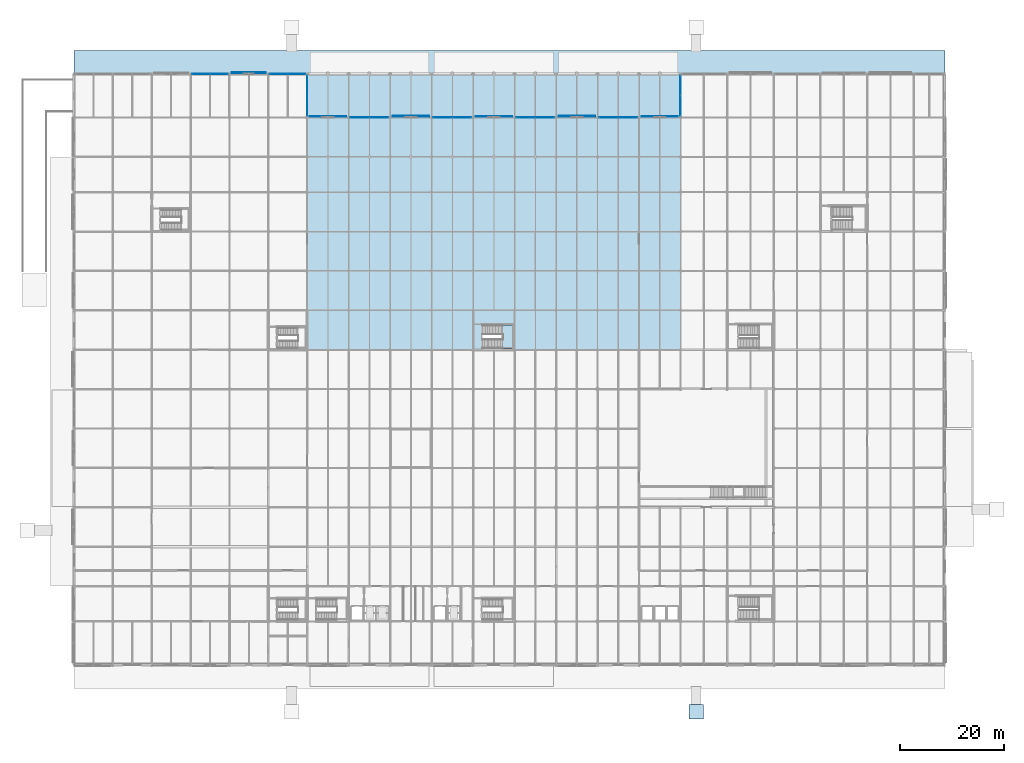
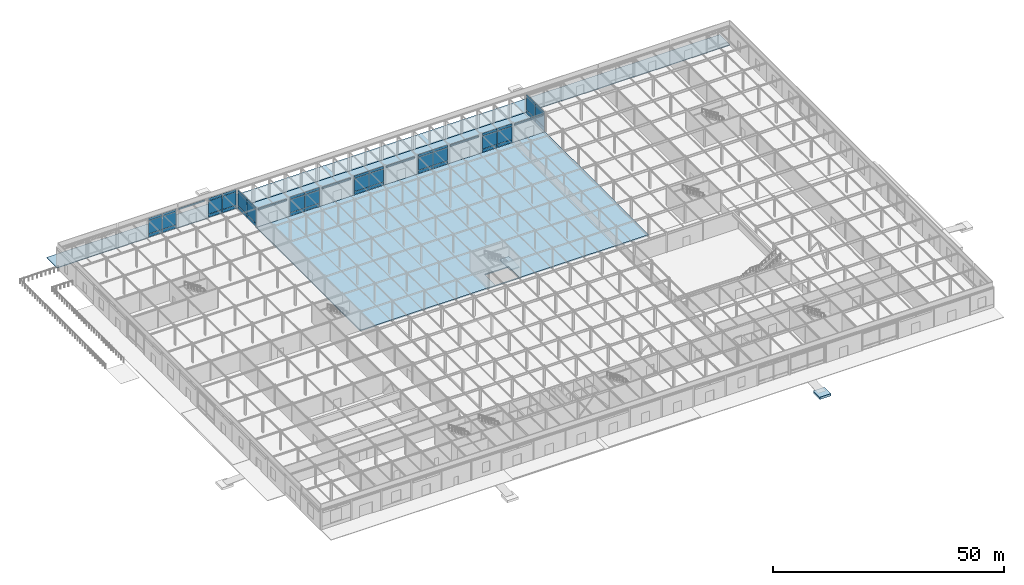
# One storey, part 57 of 89: 54 plates, 5 slabs, 9 elements without a shape of their own.
"""IFC4 building model written with IfcOpenShell, lengths in metres."""

from ifc_helpers import new_model, si_unit, direction, frame, origin, origin_2d, place, context, subcontext, project, spatial, polyline, rectangle, outline, extrude, material, layer, layer_set, type_object, element, aggregate, save


model = new_model("IFC4")

# Units and contexts
model_context = context("Model", 3, precision=1e-05, world=origin(), true_north=direction((0.0, 1.0)))
body_context = subcontext(model_context, "Body", "Model", "MODEL_VIEW")
ifc_project = project(units=[si_unit("LENGTHUNIT", "METRE"), si_unit("AREAUNIT", "SQUARE_METRE"), si_unit("VOLUMEUNIT", "CUBIC_METRE"), si_unit("PLANEANGLEUNIT", "RADIAN"), si_unit("MASSUNIT", "GRAM", prefix="KILO")], contexts=[model_context])

# Site, building, storey
site_placement = place(None, origin())
site = spatial("IfcSite", under=ifc_project, at=site_placement, CompositionType="ELEMENT")
building_placement = place(site_placement, origin())
building = spatial("IfcBuilding", under=site, at=building_placement, Name="Shalkamar Park Central Library", CompositionType="ELEMENT")
storey_placement = place(building_placement, origin())
storey = spatial("IfcBuildingStorey", under=building, at=storey_placement, Name="L01", CompositionType="ELEMENT", Elevation=0.0)

# Slab
ifc_material_1 = material(Name="Concrete C35/45", Category="concrete")
ifc_layer_1 = layer(ifc_material_1, 0.60009765625)
ifc_layer_set_1 = layer_set([ifc_layer_1], Name="Concrete C35/45")
slab_type_1 = type_object("IfcSlabType", Name="Basement Base Slab 600", PredefinedType="BASESLAB", material=ifc_layer_set_1)
slab_1_placement = place(storey_placement, frame((0.0, 0.0, -0.89990234375)))
element("IfcSlab", 1, at=slab_1_placement, inside=storey, type_object=slab_type_1, Name="Approach Grade Pad RMP-S-E", PredefinedType="BASESLAB", context=body_context, shape_type="SweptSolid", body=[
    extrude(outline(polyline([(238.60009765625, 229.60009765625), (241.39990234375, 229.60009765625), (241.39990234375, 232.39990234375), (238.60009765625, 232.39990234375), (238.60009765625, 229.60009765625)])), origin(), (0.0, 0.0, 1.0), 0.599853515625),
])

# Plates
ifc_material_2 = material(Name="Anodized bronze architectural frieze plate", Category="aluminium")
ifc_layer_2 = layer(ifc_material_2, 0.110107421875)
ifc_layer_set_2 = layer_set([ifc_layer_2], Name="BronzeSpandrelFriezePlate_110")
plate_type_1 = type_object("IfcPlateType", Name="Bronze Spandrel Frieze Plate 110", PredefinedType="USERDEFINED", material=ifc_layer_set_2)
for number, where, z_axis, x_axis, name in (
    (2, (169.0, 345.81005859375, 4.23779296875), (0.0, 0.0, 1.0), (1.0, 0.0, 0.0), "Bronze Spandrel Frieze Plate L01-009"),
    (3, (201.0, 345.81005859375, 4.23779296875), (0.0, 0.0, 1.0), (1.0, 0.0, 0.0), "Bronze Spandrel Frieze Plate L01-011"),
    (4, (233.0, 345.81005859375, 4.23779296875), (0.0, 0.0, 1.0), (1.0, 0.0, 0.0), "Bronze Spandrel Frieze Plate L01-013"),
):
    element("IfcPlate", number, at=place(storey_placement, frame(where, z_axis=z_axis, x_axis=x_axis)), inside=storey, type_object=plate_type_1, Name=name, ObjectType="CLADDING", PredefinedType="USERDEFINED", context=body_context, shape_type="SweptSolid", body=[
        extrude(rectangle(XDim=7.028076171875, YDim=0.110107421875, at=origin_2d()), origin(), (0.0, 0.0, 1.0), 0.449951171875),
    ])
ifc_material_3 = material(Name="Anodized bronze stepped frieze plate", Category="aluminium")
ifc_layer_3 = layer(ifc_material_3, 0.139892578125)
ifc_layer_set_3 = layer_set([ifc_layer_3], Name="PostmodernKeystoneFriezePlate_140")
plate_type_2 = type_object("IfcPlateType", Name="Postmodern Keystone Frieze Plate 140", PredefinedType="USERDEFINED", material=ifc_layer_set_3)
plate_1_placement = place(storey_placement, frame((153.75, 354.22509765625, 4.42822265625), z_axis=(0.0, 0.0, 1.0), x_axis=(1.0, 0.0, 0.0)))
element("IfcPlate", 5, at=plate_1_placement, inside=storey, type_object=plate_type_2, Name="Bronze Spandrel Frieze Plate L01-008", ObjectType="CLADDING", PredefinedType="USERDEFINED", context=body_context, shape_type="SweptSolid", body=[
    extrude(rectangle(XDim=6.528076171875, YDim=0.139892578125, at=origin_2d()), origin(), (0.0, 0.0, 1.0), 0.449951171875),
])
for number, where, z_axis, x_axis, name in (
    (6, (185.0, 345.824951171875, 4.23779296875), (0.0, 0.0, 1.0), (1.0, 0.0, 0.0), "Bronze Spandrel Frieze Plate L01-010"),
    (7, (217.0, 345.824951171875, 4.23779296875), (0.0, 0.0, 1.0), (1.0, 0.0, 0.0), "Bronze Spandrel Frieze Plate L01-012"),
):
    element("IfcPlate", number, at=place(storey_placement, frame(where, z_axis=z_axis, x_axis=x_axis)), inside=storey, type_object=plate_type_2, Name=name, ObjectType="CLADDING", PredefinedType="USERDEFINED", context=body_context, shape_type="SweptSolid", body=[
        extrude(rectangle(XDim=7.028076171875, YDim=0.139892578125, at=origin_2d()), origin(), (0.0, 0.0, 1.0), 0.449951171875),
    ])

# Curtain wall, plates
ifc_material_4 = material(Name="Thermally broken aluminium and triple low-e curtain wall", Category="aluminium")
ifc_layer_4 = layer(ifc_material_4, 0.27001953125)
ifc_layer_set_4 = layer_set([ifc_layer_4], Name="UnitisedCurtainWall_15")
curtain_wall_type_1 = type_object("IfcCurtainWallType", Name="Unitised Curtain Wall 15", PredefinedType="USERDEFINED", material=ifc_layer_set_4)
curtain_wall_1_placement = place(storey_placement, origin())
curtain_wall_1 = element("IfcCurtainWall", 8, at=curtain_wall_1_placement, inside=storey, type_object=curtain_wall_type_1, Name="Unitised Curtain Wall CW-L01-016", ObjectType="UNITISED CURTAIN WALL", PredefinedType="USERDEFINED")
ifc_material_5 = material(Name="Triple-glazed solar-control glass", Category="glass")
ifc_layer_5 = layer(ifc_material_5, 0.031982421875)
ifc_layer_set_5 = layer_set([ifc_layer_5], Name="SolarControlVisionPanel_32")
plate_type_3 = type_object("IfcPlateType", Name="Solar Control Vision Panel 32", PredefinedType="CURTAIN_PANEL", material=ifc_layer_set_5)
plate_2_placement = place(storey_placement, frame((237.0, 347.84912109375, 0.06494140625), z_axis=(0.0, 0.0, 1.0), x_axis=(0.0, 1.0, 0.0)))
plate_2 = element("IfcPlate", 9, at=plate_2_placement, type_object=plate_type_3, Name="CW-15 panel 1.1", PredefinedType="CURTAIN_PANEL", context=body_context, shape_type="SweptSolid", body=[
    extrude(rectangle(XDim=3.822021484375, YDim=0.031982421875, at=origin_2d()), origin(), (0.0, 0.0, 1.0), 0.802490234375),
])
plate_3_placement = place(storey_placement, frame((237.0, 347.84912109375, 0.9326171875), z_axis=(0.0, 0.0, 1.0), x_axis=(0.0, 1.0, 0.0)))
plate_3 = element("IfcPlate", 10, at=plate_3_placement, type_object=plate_type_3, Name="CW-15 panel 1.2", PredefinedType="CURTAIN_PANEL", context=body_context, shape_type="SweptSolid", body=[
    extrude(rectangle(XDim=3.822021484375, YDim=0.031982421875, at=origin_2d()), origin(), (0.0, 0.0, 1.0), 3.425048828125),
])
plate_4_placement = place(storey_placement, frame((237.0, 347.84912109375, 4.42236328125), z_axis=(0.0, 0.0, 1.0), x_axis=(0.0, 1.0, 0.0)))
plate_4 = element("IfcPlate", 11, at=plate_4_placement, type_object=plate_type_3, Name="CW-15 panel 1.3", PredefinedType="CURTAIN_PANEL", context=body_context, shape_type="SweptSolid", body=[
    extrude(rectangle(XDim=3.822021484375, YDim=0.031982421875, at=origin_2d()), origin(), (0.0, 0.0, 1.0), 0.652587890625),
])
plate_5_placement = place(storey_placement, frame((237.0, 351.7509765625, 0.06494140625), z_axis=(0.0, 0.0, 1.0), x_axis=(0.0, 1.0, 0.0)))
plate_5 = element("IfcPlate", 12, at=plate_5_placement, type_object=plate_type_3, Name="CW-15 panel 2.1", PredefinedType="CURTAIN_PANEL", context=body_context, shape_type="SweptSolid", body=[
    extrude(rectangle(XDim=3.822021484375, YDim=0.031982421875, at=origin_2d()), origin(), (0.0, 0.0, 1.0), 0.802490234375),
])
plate_6_placement = place(storey_placement, frame((237.0, 351.7509765625, 0.9326171875), z_axis=(0.0, 0.0, 1.0), x_axis=(0.0, 1.0, 0.0)))
plate_6 = element("IfcPlate", 13, at=plate_6_placement, type_object=plate_type_3, Name="CW-15 panel 2.2", PredefinedType="CURTAIN_PANEL", context=body_context, shape_type="SweptSolid", body=[
    extrude(rectangle(XDim=3.822021484375, YDim=0.031982421875, at=origin_2d()), origin(), (0.0, 0.0, 1.0), 3.425048828125),
])
plate_7_placement = place(storey_placement, frame((237.0, 351.7509765625, 4.42236328125), z_axis=(0.0, 0.0, 1.0), x_axis=(0.0, 1.0, 0.0)))
plate_7 = element("IfcPlate", 14, at=plate_7_placement, type_object=plate_type_3, Name="CW-15 panel 2.3", PredefinedType="CURTAIN_PANEL", context=body_context, shape_type="SweptSolid", body=[
    extrude(rectangle(XDim=3.822021484375, YDim=0.031982421875, at=origin_2d()), origin(), (0.0, 0.0, 1.0), 0.652587890625),
])
aggregate(curtain_wall_1, [plate_2, plate_3, plate_4, plate_5, plate_6, plate_7])

ifc_layer_6 = layer(ifc_material_4, 0.25)
ifc_layer_set_6 = layer_set([ifc_layer_6], Name="UnitisedCurtainWall_07")
curtain_wall_type_2 = type_object("IfcCurtainWallType", Name="Unitised Curtain Wall 07", PredefinedType="USERDEFINED", material=ifc_layer_set_6)
curtain_wall_2_placement = place(storey_placement, origin())
curtain_wall_2 = element("IfcCurtainWall", 15, at=curtain_wall_2_placement, inside=storey, type_object=curtain_wall_type_2, Name="Unitised Curtain Wall CW-L01-007", ObjectType="UNITISED CURTAIN WALL", PredefinedType="USERDEFINED")
ifc_material_6 = material(Name="Insulated aluminium spandrel panel", Category="aluminium")
ifc_layer_7 = layer(ifc_material_6, 0.080078125)
ifc_layer_set_7 = layer_set([ifc_layer_7], Name="SpandrelShadowboxPanel_80")
plate_type_4 = type_object("IfcPlateType", Name="Spandrel Shadowbox Panel 80", PredefinedType="CURTAIN_PANEL", material=ifc_layer_set_7)
plate_8_placement = place(storey_placement, frame((159.5009765625, 354.0, 0.06005859375), z_axis=(0.0, 0.0, 1.0), x_axis=(1.0, 0.0, 0.0)))
plate_8 = element("IfcPlate", 16, at=plate_8_placement, type_object=plate_type_4, Name="CW-07 panel 1.1", PredefinedType="CURTAIN_PANEL", context=body_context, shape_type="SweptSolid", body=[
    extrude(rectangle(XDim=3.39404296875, YDim=0.080078125, at=origin_2d()), origin(), (0.0, 0.0, 1.0), 0.81005859375),
])
plate_9_placement = place(storey_placement, frame((159.5009765625, 354.0, 0.929931640625), z_axis=(0.0, 0.0, 1.0), x_axis=(1.0, 0.0, 0.0)))
plate_9 = element("IfcPlate", 17, at=plate_9_placement, type_object=plate_type_4, Name="CW-07 panel 1.2", PredefinedType="CURTAIN_PANEL", context=body_context, shape_type="SweptSolid", body=[
    extrude(rectangle(XDim=3.39404296875, YDim=0.080078125, at=origin_2d()), origin(), (0.0, 0.0, 1.0), 3.43994140625),
])
plate_10_placement = place(storey_placement, frame((159.5009765625, 354.0, 4.43017578125), z_axis=(0.0, 0.0, 1.0), x_axis=(1.0, 0.0, 0.0)))
plate_10 = element("IfcPlate", 18, at=plate_10_placement, type_object=plate_type_4, Name="CW-07 panel 1.3", PredefinedType="CURTAIN_PANEL", context=body_context, shape_type="SweptSolid", body=[
    extrude(rectangle(XDim=3.39404296875, YDim=0.080078125, at=origin_2d()), origin(), (0.0, 0.0, 1.0), 0.659912109375),
])
plate_11_placement = place(storey_placement, frame((162.969970703125, 354.0, 0.06005859375), z_axis=(0.0, 0.0, 1.0), x_axis=(1.0, 0.0, 0.0)))
plate_11 = element("IfcPlate", 19, at=plate_11_placement, type_object=plate_type_4, Name="CW-07 panel 2.1", PredefinedType="CURTAIN_PANEL", context=body_context, shape_type="SweptSolid", body=[
    extrude(rectangle(XDim=3.39404296875, YDim=0.080078125, at=origin_2d()), origin(), (0.0, 0.0, 1.0), 0.81005859375),
])
plate_12_placement = place(storey_placement, frame((162.969970703125, 354.0, 0.929931640625), z_axis=(0.0, 0.0, 1.0), x_axis=(1.0, 0.0, 0.0)))
plate_12 = element("IfcPlate", 20, at=plate_12_placement, type_object=plate_type_4, Name="CW-07 panel 2.2", PredefinedType="CURTAIN_PANEL", context=body_context, shape_type="SweptSolid", body=[
    extrude(rectangle(XDim=3.39404296875, YDim=0.080078125, at=origin_2d()), origin(), (0.0, 0.0, 1.0), 3.43994140625),
])
plate_13_placement = place(storey_placement, frame((162.969970703125, 354.0, 4.43017578125), z_axis=(0.0, 0.0, 1.0), x_axis=(1.0, 0.0, 0.0)))
plate_13 = element("IfcPlate", 21, at=plate_13_placement, type_object=plate_type_4, Name="CW-07 panel 2.3", PredefinedType="CURTAIN_PANEL", context=body_context, shape_type="SweptSolid", body=[
    extrude(rectangle(XDim=3.39404296875, YDim=0.080078125, at=origin_2d()), origin(), (0.0, 0.0, 1.0), 0.659912109375),
])
aggregate(curtain_wall_2, [plate_8, plate_9, plate_10, plate_11, plate_12, plate_13])

ifc_layer_8 = layer(ifc_material_4, 0.264892578125)
ifc_layer_set_8 = layer_set([ifc_layer_8], Name="UnitisedCurtainWall_09")
curtain_wall_type_3 = type_object("IfcCurtainWallType", Name="Unitised Curtain Wall 09", PredefinedType="USERDEFINED", material=ifc_layer_set_8)
curtain_wall_3_placement = place(storey_placement, origin())
curtain_wall_3 = element("IfcCurtainWall", 22, at=curtain_wall_3_placement, inside=storey, type_object=curtain_wall_type_3, Name="Unitised Curtain Wall CW-L01-009", ObjectType="UNITISED CURTAIN WALL", PredefinedType="USERDEFINED")
plate_14_placement = place(storey_placement, frame((191.150146484375, 345.60009765625, 0.070068359375), z_axis=(0.0, 0.0, 1.0), x_axis=(1.0, 0.0, 0.0)))
plate_14 = element("IfcPlate", 23, at=plate_14_placement, type_object=plate_type_4, Name="CW-09 panel 1.1", PredefinedType="CURTAIN_PANEL", context=body_context, shape_type="SweptSolid", body=[
    extrude(rectangle(XDim=3.614501953125, YDim=0.080078125, at=origin_2d()), origin(), (0.0, 0.0, 1.0), 0.794921875),
])
plate_15_placement = place(storey_placement, frame((191.150146484375, 345.60009765625, 0.93505859375), z_axis=(0.0, 0.0, 1.0), x_axis=(1.0, 0.0, 0.0)))
plate_15 = element("IfcPlate", 24, at=plate_15_placement, type_object=plate_type_4, Name="CW-09 panel 1.2", PredefinedType="CURTAIN_PANEL", context=body_context, shape_type="SweptSolid", body=[
    extrude(rectangle(XDim=3.614501953125, YDim=0.080078125, at=origin_2d()), origin(), (0.0, 0.0, 1.0), 3.419921875),
])
plate_16_placement = place(storey_placement, frame((191.150146484375, 345.60009765625, 4.425048828125), z_axis=(0.0, 0.0, 1.0), x_axis=(1.0, 0.0, 0.0)))
plate_16 = element("IfcPlate", 25, at=plate_16_placement, type_object=plate_type_4, Name="CW-09 panel 1.3", PredefinedType="CURTAIN_PANEL", context=body_context, shape_type="SweptSolid", body=[
    extrude(rectangle(XDim=3.614501953125, YDim=0.080078125, at=origin_2d()), origin(), (0.0, 0.0, 1.0), 0.64501953125),
])
plate_17_placement = place(storey_placement, frame((194.849853515625, 345.60009765625, 0.070068359375), z_axis=(0.0, 0.0, 1.0), x_axis=(1.0, 0.0, 0.0)))
plate_17 = element("IfcPlate", 26, at=plate_17_placement, type_object=plate_type_4, Name="CW-09 panel 2.1", PredefinedType="CURTAIN_PANEL", context=body_context, shape_type="SweptSolid", body=[
    extrude(rectangle(XDim=3.614501953125, YDim=0.080078125, at=origin_2d()), origin(), (0.0, 0.0, 1.0), 0.794921875),
])
plate_18_placement = place(storey_placement, frame((194.849853515625, 345.60009765625, 0.93505859375), z_axis=(0.0, 0.0, 1.0), x_axis=(1.0, 0.0, 0.0)))
plate_18 = element("IfcPlate", 27, at=plate_18_placement, type_object=plate_type_4, Name="CW-09 panel 2.2", PredefinedType="CURTAIN_PANEL", context=body_context, shape_type="SweptSolid", body=[
    extrude(rectangle(XDim=3.614501953125, YDim=0.080078125, at=origin_2d()), origin(), (0.0, 0.0, 1.0), 3.419921875),
])
plate_19_placement = place(storey_placement, frame((194.849853515625, 345.60009765625, 4.425048828125), z_axis=(0.0, 0.0, 1.0), x_axis=(1.0, 0.0, 0.0)))
plate_19 = element("IfcPlate", 28, at=plate_19_placement, type_object=plate_type_4, Name="CW-09 panel 2.3", PredefinedType="CURTAIN_PANEL", context=body_context, shape_type="SweptSolid", body=[
    extrude(rectangle(XDim=3.614501953125, YDim=0.080078125, at=origin_2d()), origin(), (0.0, 0.0, 1.0), 0.64501953125),
])
aggregate(curtain_wall_3, [plate_14, plate_15, plate_16, plate_17, plate_18, plate_19])

ifc_layer_9 = layer(ifc_material_4, 0.2548828125)
ifc_layer_set_9 = layer_set([ifc_layer_9], Name="UnitisedCurtainWall_08")
curtain_wall_type_4 = type_object("IfcCurtainWallType", Name="Unitised Curtain Wall 08", PredefinedType="USERDEFINED", material=ifc_layer_set_9)
curtain_wall_4_placement = place(storey_placement, origin())
curtain_wall_4 = element("IfcCurtainWall", 29, at=curtain_wall_4_placement, inside=storey, type_object=curtain_wall_type_4, Name="Unitised Curtain Wall CW-L01-011", ObjectType="UNITISED CURTAIN WALL", PredefinedType="USERDEFINED")
plate_20_placement = place(storey_placement, frame((223.14892578125, 345.60009765625, 0.06494140625), z_axis=(0.0, 0.0, 1.0), x_axis=(1.0, 0.0, 0.0)))
plate_20 = element("IfcPlate", 30, at=plate_20_placement, type_object=plate_type_4, Name="CW-08 panel 1.1", PredefinedType="CURTAIN_PANEL", context=body_context, shape_type="SweptSolid", body=[
    extrude(rectangle(XDim=3.6220703125, YDim=0.080078125, at=origin_2d()), origin(), (0.0, 0.0, 1.0), 0.802490234375),
])
plate_21_placement = place(storey_placement, frame((223.14892578125, 345.60009765625, 0.9326171875), z_axis=(0.0, 0.0, 1.0), x_axis=(1.0, 0.0, 0.0)))
plate_21 = element("IfcPlate", 31, at=plate_21_placement, type_object=plate_type_4, Name="CW-08 panel 1.2", PredefinedType="CURTAIN_PANEL", context=body_context, shape_type="SweptSolid", body=[
    extrude(rectangle(XDim=3.6220703125, YDim=0.080078125, at=origin_2d()), origin(), (0.0, 0.0, 1.0), 3.425048828125),
])
plate_22_placement = place(storey_placement, frame((223.14892578125, 345.60009765625, 4.42236328125), z_axis=(0.0, 0.0, 1.0), x_axis=(1.0, 0.0, 0.0)))
plate_22 = element("IfcPlate", 32, at=plate_22_placement, type_object=plate_type_4, Name="CW-08 panel 1.3", PredefinedType="CURTAIN_PANEL", context=body_context, shape_type="SweptSolid", body=[
    extrude(rectangle(XDim=3.6220703125, YDim=0.080078125, at=origin_2d()), origin(), (0.0, 0.0, 1.0), 0.652587890625),
])
plate_23_placement = place(storey_placement, frame((226.85107421875, 345.60009765625, 0.06494140625), z_axis=(0.0, 0.0, 1.0), x_axis=(1.0, 0.0, 0.0)))
plate_23 = element("IfcPlate", 33, at=plate_23_placement, type_object=plate_type_4, Name="CW-08 panel 2.1", PredefinedType="CURTAIN_PANEL", context=body_context, shape_type="SweptSolid", body=[
    extrude(rectangle(XDim=3.6220703125, YDim=0.080078125, at=origin_2d()), origin(), (0.0, 0.0, 1.0), 0.802490234375),
])
plate_24_placement = place(storey_placement, frame((226.85107421875, 345.60009765625, 0.9326171875), z_axis=(0.0, 0.0, 1.0), x_axis=(1.0, 0.0, 0.0)))
plate_24 = element("IfcPlate", 34, at=plate_24_placement, type_object=plate_type_4, Name="CW-08 panel 2.2", PredefinedType="CURTAIN_PANEL", context=body_context, shape_type="SweptSolid", body=[
    extrude(rectangle(XDim=3.6220703125, YDim=0.080078125, at=origin_2d()), origin(), (0.0, 0.0, 1.0), 3.425048828125),
])
plate_25_placement = place(storey_placement, frame((226.85107421875, 345.60009765625, 4.42236328125), z_axis=(0.0, 0.0, 1.0), x_axis=(1.0, 0.0, 0.0)))
plate_25 = element("IfcPlate", 35, at=plate_25_placement, type_object=plate_type_4, Name="CW-08 panel 2.3", PredefinedType="CURTAIN_PANEL", context=body_context, shape_type="SweptSolid", body=[
    extrude(rectangle(XDim=3.6220703125, YDim=0.080078125, at=origin_2d()), origin(), (0.0, 0.0, 1.0), 0.652587890625),
])
aggregate(curtain_wall_4, [plate_20, plate_21, plate_22, plate_23, plate_24, plate_25])

ifc_layer_10 = layer(ifc_material_4, 0.25)
ifc_layer_set_10 = layer_set([ifc_layer_10], Name="UnitisedCurtainWall_14")
curtain_wall_type_5 = type_object("IfcCurtainWallType", Name="Unitised Curtain Wall 14", PredefinedType="USERDEFINED", material=ifc_layer_set_10)
curtain_wall_5_placement = place(storey_placement, origin())
curtain_wall_5 = element("IfcCurtainWall", 36, at=curtain_wall_5_placement, inside=storey, type_object=curtain_wall_type_5, Name="Unitised Curtain Wall CW-L01-015", ObjectType="UNITISED CURTAIN WALL", PredefinedType="USERDEFINED")
plate_26_placement = place(storey_placement, frame((165.0, 347.84765625, 0.06005859375), z_axis=(0.0, 0.0, 1.0), x_axis=(0.0, 1.0, 0.0)))
plate_26 = element("IfcPlate", 37, at=plate_26_placement, type_object=plate_type_4, Name="CW-14 panel 1.1", PredefinedType="CURTAIN_PANEL", context=body_context, shape_type="SweptSolid", body=[
    extrude(rectangle(XDim=3.82958984375, YDim=0.080078125, at=origin_2d()), origin(), (0.0, 0.0, 1.0), 0.81005859375),
])
plate_27_placement = place(storey_placement, frame((165.0, 347.84765625, 0.93017578125), z_axis=(0.0, 0.0, 1.0), x_axis=(0.0, 1.0, 0.0)))
plate_27 = element("IfcPlate", 38, at=plate_27_placement, type_object=plate_type_4, Name="CW-14 panel 1.2", PredefinedType="CURTAIN_PANEL", context=body_context, shape_type="SweptSolid", body=[
    extrude(rectangle(XDim=3.82958984375, YDim=0.080078125, at=origin_2d()), origin(), (0.0, 0.0, 1.0), 3.429931640625),
])
plate_28_placement = place(storey_placement, frame((165.0, 347.84765625, 4.419921875), z_axis=(0.0, 0.0, 1.0), x_axis=(0.0, 1.0, 0.0)))
plate_28 = element("IfcPlate", 39, at=plate_28_placement, type_object=plate_type_4, Name="CW-14 panel 1.3", PredefinedType="CURTAIN_PANEL", context=body_context, shape_type="SweptSolid", body=[
    extrude(rectangle(XDim=3.82958984375, YDim=0.080078125, at=origin_2d()), origin(), (0.0, 0.0, 1.0), 0.659912109375),
])
plate_29_placement = place(storey_placement, frame((165.0, 351.752197265625, 0.06005859375), z_axis=(0.0, 0.0, 1.0), x_axis=(0.0, 1.0, 0.0)))
plate_29 = element("IfcPlate", 40, at=plate_29_placement, type_object=plate_type_4, Name="CW-14 panel 2.1", PredefinedType="CURTAIN_PANEL", context=body_context, shape_type="SweptSolid", body=[
    extrude(rectangle(XDim=3.82958984375, YDim=0.080078125, at=origin_2d()), origin(), (0.0, 0.0, 1.0), 0.81005859375),
])
plate_30_placement = place(storey_placement, frame((165.0, 351.752197265625, 0.93017578125), z_axis=(0.0, 0.0, 1.0), x_axis=(0.0, 1.0, 0.0)))
plate_30 = element("IfcPlate", 41, at=plate_30_placement, type_object=plate_type_4, Name="CW-14 panel 2.2", PredefinedType="CURTAIN_PANEL", context=body_context, shape_type="SweptSolid", body=[
    extrude(rectangle(XDim=3.82958984375, YDim=0.080078125, at=origin_2d()), origin(), (0.0, 0.0, 1.0), 3.429931640625),
])
plate_31_placement = place(storey_placement, frame((165.0, 351.752197265625, 4.419921875), z_axis=(0.0, 0.0, 1.0), x_axis=(0.0, 1.0, 0.0)))
plate_31 = element("IfcPlate", 42, at=plate_31_placement, type_object=plate_type_4, Name="CW-14 panel 2.3", PredefinedType="CURTAIN_PANEL", context=body_context, shape_type="SweptSolid", body=[
    extrude(rectangle(XDim=3.82958984375, YDim=0.080078125, at=origin_2d()), origin(), (0.0, 0.0, 1.0), 0.659912109375),
])
aggregate(curtain_wall_5, [plate_26, plate_27, plate_28, plate_29, plate_30, plate_31])

# Stair, slab
stair_type = type_object("IfcStairType", Name="Protected Dog Leg Stair 180x540", PredefinedType="TWO_STRAIGHT_RUN_STAIR", material=ifc_material_1)
stair_placement = place(storey_placement, origin())
stair = element("IfcStair", 43, at=stair_placement, inside=storey, type_object=stair_type, Name="Protected Core Stair ST-P7-L01", PredefinedType="TWO_STRAIGHT_RUN_STAIR")
ifc_layer_11 = layer(ifc_material_1, 0.280029296875)
ifc_layer_set_11 = layer_set([ifc_layer_11], Name="Concrete C35/45")
slab_type_2 = type_object("IfcSlabType", Name="Stair Landing Slab 160", PredefinedType="LANDING", material=ifc_layer_set_11)
slab_2_placement = place(storey_placement, frame((0.0, 0.0, 2.419921875)))
slab_2 = element("IfcSlab", 44, at=slab_2_placement, type_object=slab_type_2, Name="ST-P7-L01 landing 1", PredefinedType="LANDING", context=body_context, shape_type="SweptSolid", body=[
    extrude(outline(polyline([(202.534912109375, 300.9951171875), (204.804931640625, 300.9951171875), (204.804931640625, 305.554931640625), (202.534912109375, 305.554931640625), (202.534912109375, 300.9951171875)])), origin(), (0.0, 0.0, 1.0), 0.280029296875),
])
aggregate(stair, [slab_2])

# Slabs
ifc_layer_12 = layer(ifc_material_1, 0.2900390625)
ifc_layer_set_12 = layer_set([ifc_layer_12], Name="Concrete C35/45")
slab_type_3 = type_object("IfcSlabType", Name="Suspended Floor Slab 290", PredefinedType="FLOOR", material=ifc_layer_set_12)
slab_3_placement = place(storey_placement, frame((0.0, 0.0, -0.2900390625)))
element("IfcSlab", 45, at=slab_3_placement, inside=storey, type_object=slab_type_3, Name="Level L01 Composite Floor Slab NC", PredefinedType="FLOOR", context=body_context, shape_type="SweptSolid", body=[
    extrude(outline(polyline([(165.0, 300.800048828125), (165.0, 345.60009765625), (237.0, 345.60009765625), (237.0, 300.800048828125), (165.0, 300.800048828125)]), holes=[polyline([(204.824951171875, 305.574951171875), (198.794921875, 305.574951171875), (198.794921875, 300.97509765625), (204.824951171875, 300.97509765625), (204.824951171875, 305.574951171875)])]), origin(), (0.0, 0.0, 1.0), 0.2900390625),
])
ifc_layer_13 = layer(ifc_material_1, 0.179931640625)
ifc_layer_set_13 = layer_set([ifc_layer_13], Name="Concrete C35/45")
slab_type_4 = type_object("IfcSlabType", Name="Terrace Deck Slab 180", PredefinedType="FLOOR", material=ifc_layer_set_13)
slab_4_placement = place(storey_placement, frame((0.0, 0.0, -0.179931640625)))
element("IfcSlab", 46, at=slab_4_placement, inside=storey, type_object=slab_type_4, Name="North Park Promenade Entrance Apron", PredefinedType="FLOOR", context=body_context, shape_type="SweptSolid", body=[
    extrude(outline(polyline([(120.0, 354.0), (288.0, 354.0), (288.0, 358.5), (120.0, 358.5), (120.0, 354.0)])), origin(), (0.0, 0.0, 1.0), 0.179931640625),
])
slab_5_placement = place(storey_placement, frame((0.0, 0.0, -0.179931640625)))
element("IfcSlab", 47, at=slab_5_placement, inside=storey, type_object=slab_type_4, Name="Outdoor Reading Terrace Slab PRK-COL", PredefinedType="FLOOR", context=body_context, shape_type="SweptSolid", body=[
    extrude(outline(polyline([(165.0, 345.60009765625), (237.0, 345.60009765625), (237.0, 354.0), (165.0, 354.0), (165.0, 345.60009765625)])), origin(), (0.0, 0.0, 1.0), 0.179931640625),
])

# Curtain wall, plates
ifc_layer_14 = layer(ifc_material_4, 0.264892578125)
ifc_layer_set_14 = layer_set([ifc_layer_14], Name="UnitisedCurtainWall_06")
curtain_wall_type_6 = type_object("IfcCurtainWallType", Name="Unitised Curtain Wall 06", PredefinedType="USERDEFINED", material=ifc_layer_set_14)
curtain_wall_6_placement = place(storey_placement, origin())
curtain_wall_6 = element("IfcCurtainWall", 48, at=curtain_wall_6_placement, inside=storey, type_object=curtain_wall_type_6, Name="Unitised Curtain Wall CW-L01-006", ObjectType="UNITISED CURTAIN WALL", PredefinedType="USERDEFINED")
ifc_material_7 = material(Name="Triple-glazed low-e safety glass", Category="glass")
ifc_layer_15 = layer(ifc_material_7, 0.0439453125)
ifc_layer_set_15 = layer_set([ifc_layer_15], Name="TripleGlazedVisionPanel_44")
plate_type_5 = type_object("IfcPlateType", Name="Triple Glazed Vision Panel 44", PredefinedType="CURTAIN_PANEL", material=ifc_layer_set_15)
plate_32_placement = place(storey_placement, frame((144.50439453125, 354.0, 0.070068359375), z_axis=(0.0, 0.0, 1.0), x_axis=(1.0, 0.0, 0.0)))
plate_32 = element("IfcPlate", 49, at=plate_32_placement, type_object=plate_type_5, Name="CW-06 panel 1.1", PredefinedType="CURTAIN_PANEL", context=body_context, shape_type="SweptSolid", body=[
    extrude(rectangle(XDim=3.381103515625, YDim=0.0439453125, at=origin_2d()), origin(), (0.0, 0.0, 1.0), 0.794921875),
])
plate_33_placement = place(storey_placement, frame((144.50439453125, 354.0, 0.93505859375), z_axis=(0.0, 0.0, 1.0), x_axis=(1.0, 0.0, 0.0)))
plate_33 = element("IfcPlate", 50, at=plate_33_placement, type_object=plate_type_5, Name="CW-06 panel 1.2", PredefinedType="CURTAIN_PANEL", context=body_context, shape_type="SweptSolid", body=[
    extrude(rectangle(XDim=3.381103515625, YDim=0.0439453125, at=origin_2d()), origin(), (0.0, 0.0, 1.0), 3.429931640625),
])
plate_34_placement = place(storey_placement, frame((144.50439453125, 354.0, 4.43505859375), z_axis=(0.0, 0.0, 1.0), x_axis=(1.0, 0.0, 0.0)))
plate_34 = element("IfcPlate", 51, at=plate_34_placement, type_object=plate_type_5, Name="CW-06 panel 1.3", PredefinedType="CURTAIN_PANEL", context=body_context, shape_type="SweptSolid", body=[
    extrude(rectangle(XDim=3.381103515625, YDim=0.0439453125, at=origin_2d()), origin(), (0.0, 0.0, 1.0), 0.64501953125),
])
plate_35_placement = place(storey_placement, frame((147.970458984375, 354.0, 0.070068359375), z_axis=(0.0, 0.0, 1.0), x_axis=(1.0, 0.0, 0.0)))
plate_35 = element("IfcPlate", 52, at=plate_35_placement, type_object=plate_type_5, Name="CW-06 panel 2.1", PredefinedType="CURTAIN_PANEL", context=body_context, shape_type="SweptSolid", body=[
    extrude(rectangle(XDim=3.381103515625, YDim=0.0439453125, at=origin_2d()), origin(), (0.0, 0.0, 1.0), 0.794921875),
])
plate_36_placement = place(storey_placement, frame((147.970458984375, 354.0, 0.93505859375), z_axis=(0.0, 0.0, 1.0), x_axis=(1.0, 0.0, 0.0)))
plate_36 = element("IfcPlate", 53, at=plate_36_placement, type_object=plate_type_5, Name="CW-06 panel 2.2", PredefinedType="CURTAIN_PANEL", context=body_context, shape_type="SweptSolid", body=[
    extrude(rectangle(XDim=3.381103515625, YDim=0.0439453125, at=origin_2d()), origin(), (0.0, 0.0, 1.0), 3.429931640625),
])
plate_37_placement = place(storey_placement, frame((147.970458984375, 354.0, 4.43505859375), z_axis=(0.0, 0.0, 1.0), x_axis=(1.0, 0.0, 0.0)))
plate_37 = element("IfcPlate", 54, at=plate_37_placement, type_object=plate_type_5, Name="CW-06 panel 2.3", PredefinedType="CURTAIN_PANEL", context=body_context, shape_type="SweptSolid", body=[
    extrude(rectangle(XDim=3.381103515625, YDim=0.0439453125, at=origin_2d()), origin(), (0.0, 0.0, 1.0), 0.64501953125),
])
aggregate(curtain_wall_6, [plate_32, plate_33, plate_34, plate_35, plate_36, plate_37])

curtain_wall_7_placement = place(storey_placement, origin())
curtain_wall_7 = element("IfcCurtainWall", 55, at=curtain_wall_7_placement, inside=storey, type_object=curtain_wall_type_4, Name="Unitised Curtain Wall CW-L01-008", ObjectType="UNITISED CURTAIN WALL", PredefinedType="USERDEFINED")
plate_38_placement = place(storey_placement, frame((175.14892578125, 345.60009765625, 0.06494140625), z_axis=(0.0, 0.0, 1.0), x_axis=(1.0, 0.0, 0.0)))
plate_38 = element("IfcPlate", 56, at=plate_38_placement, type_object=plate_type_5, Name="CW-08 panel 1.1", PredefinedType="CURTAIN_PANEL", context=body_context, shape_type="SweptSolid", body=[
    extrude(rectangle(XDim=3.6220703125, YDim=0.0439453125, at=origin_2d()), origin(), (0.0, 0.0, 1.0), 0.802490234375),
])
plate_39_placement = place(storey_placement, frame((175.14892578125, 345.60009765625, 0.9326171875), z_axis=(0.0, 0.0, 1.0), x_axis=(1.0, 0.0, 0.0)))
plate_39 = element("IfcPlate", 57, at=plate_39_placement, type_object=plate_type_5, Name="CW-08 panel 1.2", PredefinedType="CURTAIN_PANEL", context=body_context, shape_type="SweptSolid", body=[
    extrude(rectangle(XDim=3.6220703125, YDim=0.0439453125, at=origin_2d()), origin(), (0.0, 0.0, 1.0), 3.425048828125),
])
plate_40_placement = place(storey_placement, frame((175.14892578125, 345.60009765625, 4.42236328125), z_axis=(0.0, 0.0, 1.0), x_axis=(1.0, 0.0, 0.0)))
plate_40 = element("IfcPlate", 58, at=plate_40_placement, type_object=plate_type_5, Name="CW-08 panel 1.3", PredefinedType="CURTAIN_PANEL", context=body_context, shape_type="SweptSolid", body=[
    extrude(rectangle(XDim=3.6220703125, YDim=0.0439453125, at=origin_2d()), origin(), (0.0, 0.0, 1.0), 0.652587890625),
])
plate_41_placement = place(storey_placement, frame((178.85107421875, 345.60009765625, 0.06494140625), z_axis=(0.0, 0.0, 1.0), x_axis=(1.0, 0.0, 0.0)))
plate_41 = element("IfcPlate", 59, at=plate_41_placement, type_object=plate_type_5, Name="CW-08 panel 2.1", PredefinedType="CURTAIN_PANEL", context=body_context, shape_type="SweptSolid", body=[
    extrude(rectangle(XDim=3.6220703125, YDim=0.0439453125, at=origin_2d()), origin(), (0.0, 0.0, 1.0), 0.802490234375),
])
plate_42_placement = place(storey_placement, frame((178.85107421875, 345.60009765625, 0.9326171875), z_axis=(0.0, 0.0, 1.0), x_axis=(1.0, 0.0, 0.0)))
plate_42 = element("IfcPlate", 60, at=plate_42_placement, type_object=plate_type_5, Name="CW-08 panel 2.2", PredefinedType="CURTAIN_PANEL", context=body_context, shape_type="SweptSolid", body=[
    extrude(rectangle(XDim=3.6220703125, YDim=0.0439453125, at=origin_2d()), origin(), (0.0, 0.0, 1.0), 3.425048828125),
])
plate_43_placement = place(storey_placement, frame((178.85107421875, 345.60009765625, 4.42236328125), z_axis=(0.0, 0.0, 1.0), x_axis=(1.0, 0.0, 0.0)))
plate_43 = element("IfcPlate", 61, at=plate_43_placement, type_object=plate_type_5, Name="CW-08 panel 2.3", PredefinedType="CURTAIN_PANEL", context=body_context, shape_type="SweptSolid", body=[
    extrude(rectangle(XDim=3.6220703125, YDim=0.0439453125, at=origin_2d()), origin(), (0.0, 0.0, 1.0), 0.652587890625),
])
aggregate(curtain_wall_7, [plate_38, plate_39, plate_40, plate_41, plate_42, plate_43])

ifc_layer_16 = layer(ifc_material_4, 0.25)
ifc_layer_set_16 = layer_set([ifc_layer_16], Name="UnitisedCurtainWall_10")
curtain_wall_type_7 = type_object("IfcCurtainWallType", Name="Unitised Curtain Wall 10", PredefinedType="USERDEFINED", material=ifc_layer_set_16)
curtain_wall_8_placement = place(storey_placement, origin())
curtain_wall_8 = element("IfcCurtainWall", 62, at=curtain_wall_8_placement, inside=storey, type_object=curtain_wall_type_7, Name="Unitised Curtain Wall CW-L01-010", ObjectType="UNITISED CURTAIN WALL", PredefinedType="USERDEFINED")
plate_44_placement = place(storey_placement, frame((207.147705078125, 345.60009765625, 0.06005859375), z_axis=(0.0, 0.0, 1.0), x_axis=(1.0, 0.0, 0.0)))
plate_44 = element("IfcPlate", 63, at=plate_44_placement, type_object=plate_type_5, Name="CW-10 panel 1.1", PredefinedType="CURTAIN_PANEL", context=body_context, shape_type="SweptSolid", body=[
    extrude(rectangle(XDim=3.62939453125, YDim=0.0439453125, at=origin_2d()), origin(), (0.0, 0.0, 1.0), 0.81005859375),
])
plate_45_placement = place(storey_placement, frame((207.147705078125, 345.60009765625, 0.93017578125), z_axis=(0.0, 0.0, 1.0), x_axis=(1.0, 0.0, 0.0)))
plate_45 = element("IfcPlate", 64, at=plate_45_placement, type_object=plate_type_5, Name="CW-10 panel 1.2", PredefinedType="CURTAIN_PANEL", context=body_context, shape_type="SweptSolid", body=[
    extrude(rectangle(XDim=3.62939453125, YDim=0.0439453125, at=origin_2d()), origin(), (0.0, 0.0, 1.0), 3.429931640625),
])
plate_46_placement = place(storey_placement, frame((207.147705078125, 345.60009765625, 4.419921875), z_axis=(0.0, 0.0, 1.0), x_axis=(1.0, 0.0, 0.0)))
plate_46 = element("IfcPlate", 65, at=plate_46_placement, type_object=plate_type_5, Name="CW-10 panel 1.3", PredefinedType="CURTAIN_PANEL", context=body_context, shape_type="SweptSolid", body=[
    extrude(rectangle(XDim=3.62939453125, YDim=0.0439453125, at=origin_2d()), origin(), (0.0, 0.0, 1.0), 0.659912109375),
])
plate_47_placement = place(storey_placement, frame((210.852294921875, 345.60009765625, 0.06005859375), z_axis=(0.0, 0.0, 1.0), x_axis=(1.0, 0.0, 0.0)))
plate_47 = element("IfcPlate", 66, at=plate_47_placement, type_object=plate_type_5, Name="CW-10 panel 2.1", PredefinedType="CURTAIN_PANEL", context=body_context, shape_type="SweptSolid", body=[
    extrude(rectangle(XDim=3.62939453125, YDim=0.0439453125, at=origin_2d()), origin(), (0.0, 0.0, 1.0), 0.81005859375),
])
plate_48_placement = place(storey_placement, frame((210.852294921875, 345.60009765625, 0.93017578125), z_axis=(0.0, 0.0, 1.0), x_axis=(1.0, 0.0, 0.0)))
plate_48 = element("IfcPlate", 67, at=plate_48_placement, type_object=plate_type_5, Name="CW-10 panel 2.2", PredefinedType="CURTAIN_PANEL", context=body_context, shape_type="SweptSolid", body=[
    extrude(rectangle(XDim=3.62939453125, YDim=0.0439453125, at=origin_2d()), origin(), (0.0, 0.0, 1.0), 3.429931640625),
])
plate_49_placement = place(storey_placement, frame((210.852294921875, 345.60009765625, 4.419921875), z_axis=(0.0, 0.0, 1.0), x_axis=(1.0, 0.0, 0.0)))
plate_49 = element("IfcPlate", 68, at=plate_49_placement, type_object=plate_type_5, Name="CW-10 panel 2.3", PredefinedType="CURTAIN_PANEL", context=body_context, shape_type="SweptSolid", body=[
    extrude(rectangle(XDim=3.62939453125, YDim=0.0439453125, at=origin_2d()), origin(), (0.0, 0.0, 1.0), 0.659912109375),
])
aggregate(curtain_wall_8, [plate_44, plate_45, plate_46, plate_47, plate_48, plate_49])

save(model, "model.ifc")
